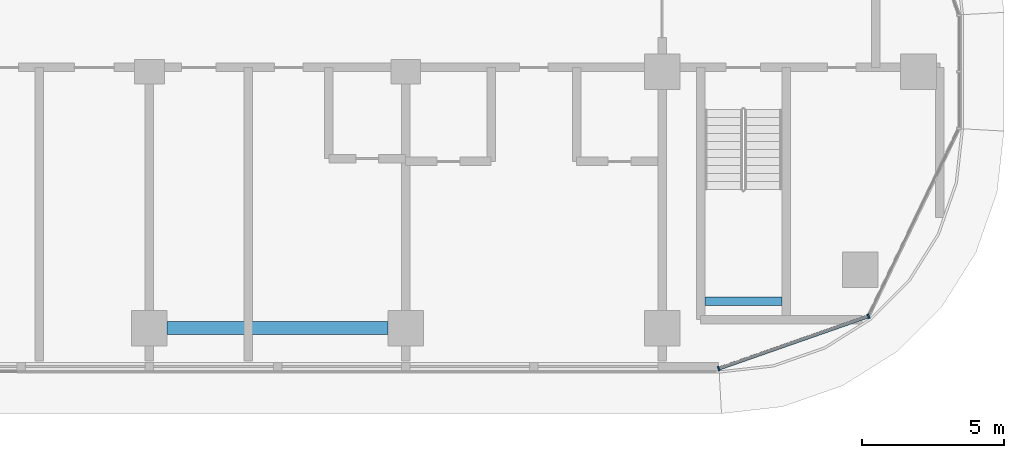
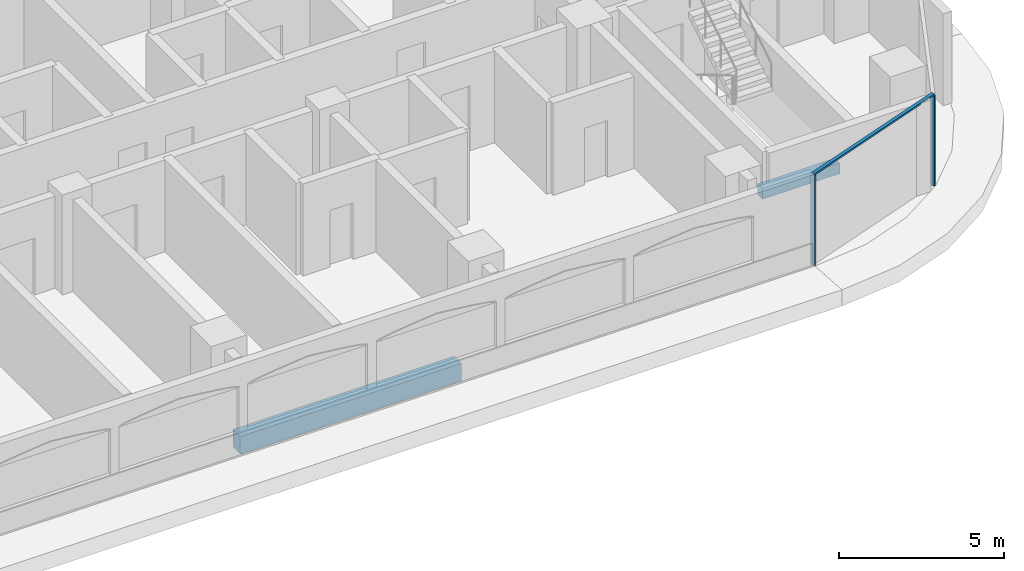
# One storey, part 3 of 25: 3 members, 2 beams, 1 element without a shape of its own.
"""IFC4 building model written with IfcOpenShell, lengths in metres."""

from ifc_helpers import new_model, si_unit, direction, frame, origin, origin_2d, place, context, subcontext, project, spatial, rectangle, extrude, material, material_profile, profile_set, type_object, element, aggregate, save


model = new_model("IFC4")

# Units and contexts
model_context = context("Model", 3, precision=1e-05, world=origin(), true_north=direction((0.0, 1.0)))
body_context = subcontext(model_context, "Body", "Model", "MODEL_VIEW")
ifc_project = project(units=[si_unit("LENGTHUNIT", "METRE"), si_unit("AREAUNIT", "SQUARE_METRE"), si_unit("VOLUMEUNIT", "CUBIC_METRE"), si_unit("PLANEANGLEUNIT", "RADIAN"), si_unit("MASSUNIT", "GRAM", prefix="KILO")], contexts=[model_context])

# Site, building, storey
site_placement = place(None, origin())
site = spatial("IfcSite", under=ifc_project, at=site_placement, CompositionType="ELEMENT")
building_placement = place(site_placement, origin())
building = spatial("IfcBuilding", under=site, at=building_placement, Name="Ogive Portal Towers", CompositionType="ELEMENT")
storey_placement = place(building_placement, frame((0.0, 0.0, 105.60009765625)))
storey = spatial("IfcBuildingStorey", under=building, at=storey_placement, Name="L25", CompositionType="ELEMENT", Elevation=105.60009765625)

# Beam
ifc_material_1 = material(Name="Concrete C40/50", Category="concrete")
ifc_material_profile_1 = material_profile(ifc_material_1, rectangle(XDim=0.300048828125, YDim=0.39990234375, at=origin_2d()), Name="RC 300x400")
ifc_profile_set_1 = profile_set([ifc_material_profile_1], Name="Concrete C40/50")
beam_type_1 = type_object("IfcBeamType", Name="BEAM RC 300x400", PredefinedType="BEAM", material=ifc_profile_set_1)
beam_1_placement = place(storey_placement, frame((87.0, 22.449951171875, 1.449951171875), z_axis=(1.0, 0.0, 0.0), x_axis=(0.0, 1.0, 0.0)))
element("IfcBeam", 1, at=beam_1_placement, inside=storey, type_object=beam_type_1, Name="Landing beam L25", PredefinedType="BEAM", context=body_context, shape_type="SweptSolid", body=[
    extrude(rectangle(XDim=0.300048828125, YDim=0.39990234375, at=origin_2d()), origin(), (0.0, 0.0, 1.0), 2.699951171875),
])

# Curtain wall, members
ifc_material_2 = material(Name="Glass, clear low-iron insulated glazing", Category="glass")
curtain_wall_type = type_object("IfcCurtainWallType", Name="CW FRONT RIBBON 4500", PredefinedType="NOTDEFINED", material=ifc_material_2)
curtain_wall_placement = place(storey_placement, origin())
curtain_wall = element("IfcCurtainWall", 2, at=curtain_wall_placement, inside=storey, type_object=curtain_wall_type, Name="A:L25:f07:cwa", PredefinedType="NOTDEFINED")
ifc_material_3 = material(Name="Aluminium 6063 anodised", Category="aluminium")
ifc_material_profile_2 = material_profile(ifc_material_3, rectangle(XDim=0.159912109375, YDim=0.06005859375, at=origin_2d()), Name="AL 60x160")
ifc_profile_set_2 = profile_set([ifc_material_profile_2], Name="Aluminium 6063 anodised")
member_type_1 = type_object("IfcMemberType", Name="CW MULLION 60x160", PredefinedType="MULLION", material=ifc_profile_set_2)
member_1_placement = place(storey_placement, frame((87.486328125, 20.080078125, 0.0), z_axis=(0.0, 0.0, 1.0), x_axis=(-0.33027906196, 0.943883330307, 0.0)))
member_1 = element("IfcMember", 3, at=member_1_placement, type_object=member_type_1, Name="mullion", PredefinedType="MULLION", context=body_context, shape_type="SweptSolid", body=[
    extrude(rectangle(XDim=0.159912109375, YDim=0.06005859375, at=origin_2d()), origin(), (0.0, 0.0, 1.0), 3.33984375),
])
member_2_placement = place(storey_placement, frame((92.741943359375, 21.9189453125, 0.0), z_axis=(0.0, 0.0, 1.0), x_axis=(-0.33027906196, 0.943883330307, 0.0)))
member_2 = element("IfcMember", 4, at=member_2_placement, type_object=member_type_1, Name="mullion", PredefinedType="MULLION", context=body_context, shape_type="SweptSolid", body=[
    extrude(rectangle(XDim=0.159912109375, YDim=0.06005859375, at=origin_2d()), origin(), (0.0, 0.0, 1.0), 3.33984375),
])
ifc_material_profile_3 = material_profile(ifc_material_3, rectangle(XDim=0.1201171875, YDim=0.06005859375, at=origin_2d()), Name="AL 120x60")
ifc_profile_set_3 = profile_set([ifc_material_profile_3], Name="Aluminium 6063 anodised")
member_type_2 = type_object("IfcMemberType", Name="CW TRANSOM 60x120", PredefinedType="USERDEFINED", material=ifc_profile_set_3)
member_3_placement = place(storey_placement, frame((87.486328125, 20.080078125, 3.369873046875), z_axis=(0.943891847017, 0.330254721593, 0.0), x_axis=(-0.330254721593, 0.943891847017, 0.0)))
member_3 = element("IfcMember", 5, at=member_3_placement, type_object=member_type_2, Name="transom", ObjectType="TRANSOM", PredefinedType="USERDEFINED", context=body_context, shape_type="SweptSolid", body=[
    extrude(rectangle(XDim=0.1201171875, YDim=0.06005859375, at=origin_2d()), origin(), (0.0, 0.0, 1.0), 5.568115234375),
])
aggregate(curtain_wall, [member_3, member_1, member_2])

# Beam
ifc_material_4 = material(Name="Concrete C50/60", Category="concrete")
ifc_material_profile_4 = material_profile(ifc_material_4, rectangle(XDim=0.449951171875, YDim=0.64990234375, at=origin_2d()), Name="RC 450x650")
ifc_profile_set_4 = profile_set([ifc_material_profile_4], Name="Concrete C50/60")
beam_type_2 = type_object("IfcBeamType", Name="SPANDREL BEAM RC 450x650", PredefinedType="BEAM", material=ifc_profile_set_4)
beam_2_placement = place(storey_placement, frame((75.875, 21.5, -0.625), z_axis=(-1.0, 0.0, 0.0), x_axis=(0.0, -1.0, 0.0)))
element("IfcBeam", 6, at=beam_2_placement, inside=storey, type_object=beam_type_2, Name="Spandrel beam L25", PredefinedType="BEAM", context=body_context, shape_type="SweptSolid", body=[
    extrude(rectangle(XDim=0.449951171875, YDim=0.64990234375, at=origin_2d()), origin(), (0.0, 0.0, 1.0), 7.75),
])

save(model, "model.ifc")
